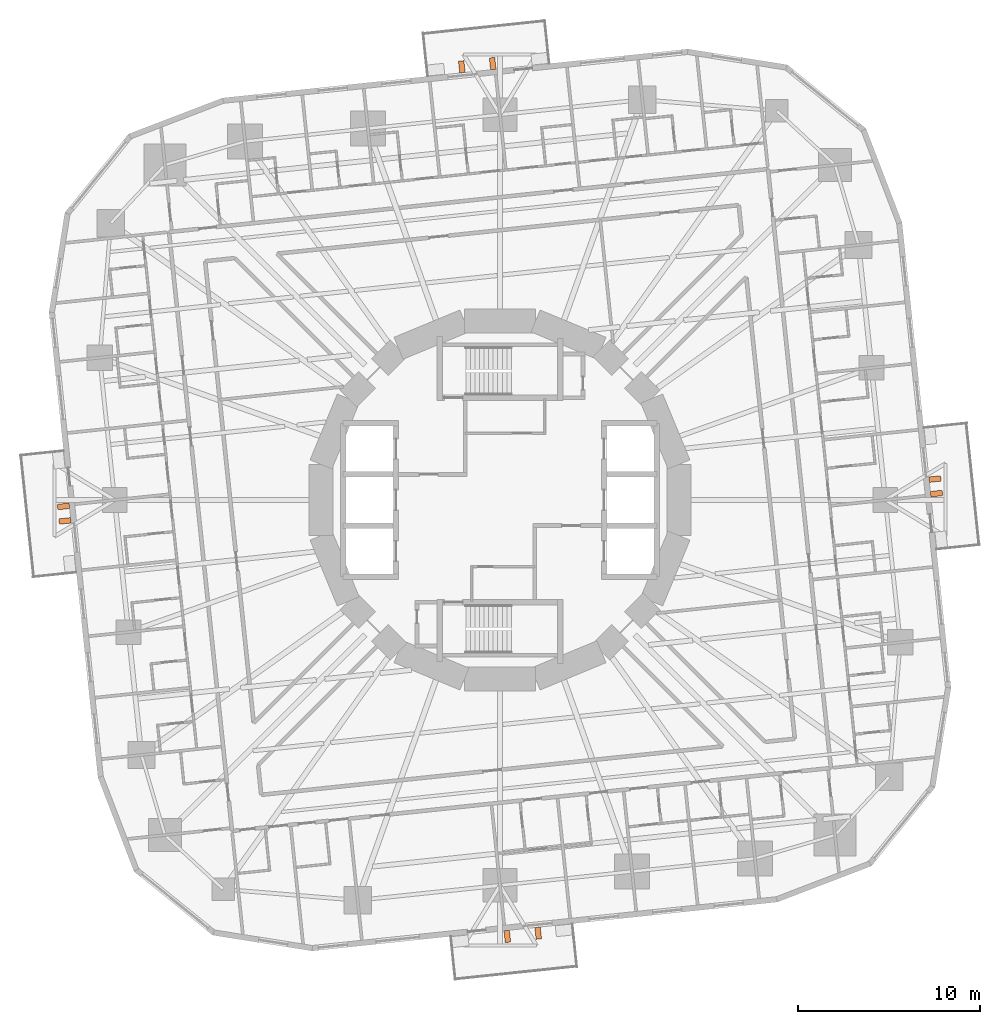
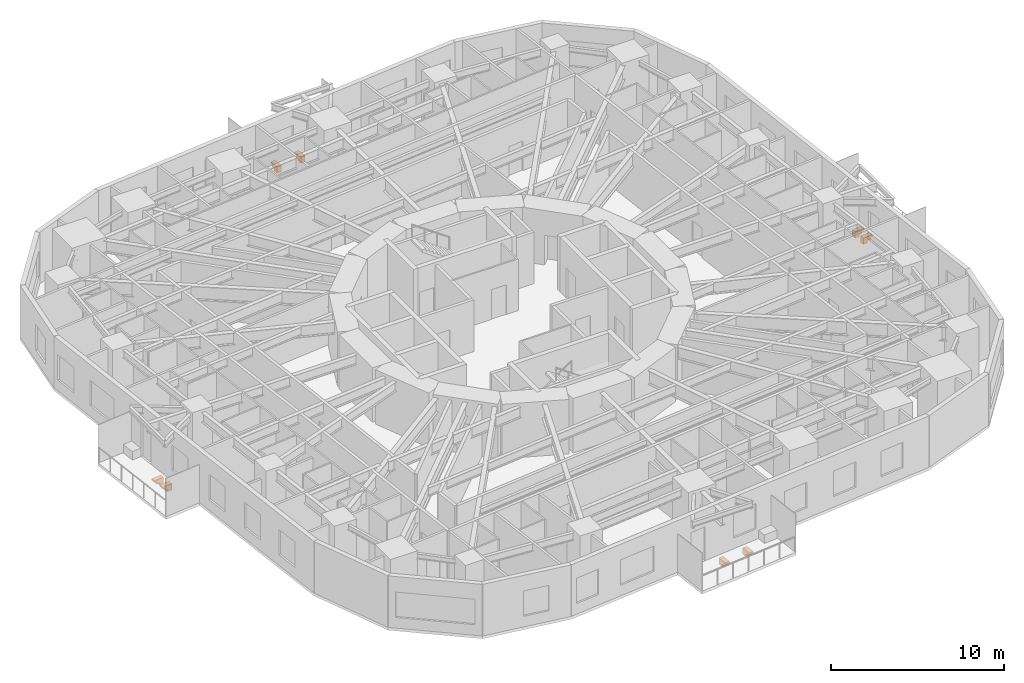
# One storey, part 15 of 15: 8 proxies.
"""IFC4 building model written with IfcOpenShell, lengths in metres."""

from ifc_helpers import new_model, si_unit, direction, frame, origin, place, context, subcontext, project, spatial, polyline, outline, extrude, material, type_object, element, save


model = new_model("IFC4")

# Units and contexts
model_context = context("Model", 3, precision=1e-05, world=origin(), true_north=direction((0.0, 1.0)))
body_context = subcontext(model_context, "Body", "Model", "MODEL_VIEW")
ifc_project = project(units=[si_unit("LENGTHUNIT", "METRE"), si_unit("AREAUNIT", "SQUARE_METRE"), si_unit("VOLUMEUNIT", "CUBIC_METRE"), si_unit("PLANEANGLEUNIT", "RADIAN"), si_unit("MASSUNIT", "GRAM", prefix="KILO")], contexts=[model_context])

# Site, building, storey
site_placement = place(None, origin())
site = spatial("IfcSite", under=ifc_project, at=site_placement, CompositionType="ELEMENT")
building_placement = place(site_placement, origin())
building = spatial("IfcBuilding", under=site, at=building_placement, Name="Nakasero Lantern House", CompositionType="ELEMENT")
storey_placement = place(building_placement, frame((0.0, 0.0, 64.35009765625)))
storey = spatial("IfcBuildingStorey", under=building, at=storey_placement, Name="L15", CompositionType="ELEMENT", Elevation=64.35009765625)

# Proxies
ifc_material = material(Name="Concrete C40/50 precast", Category="concrete")
building_element_proxy_type = type_object("IfcBuildingElementProxyType", Name="Balcony bracket 300", PredefinedType="USERDEFINED", material=ifc_material)
for number, where, z_axis, x_axis, name in (
    (1, (23.595947265625, 0.318115234375, -0.2001953125), (0.0, 0.0, 1.0), (0.994521895, 0.104528463, 0.0), "Balcony bracket L15 0A"),
    (2, (23.512451171875, 1.11376953125, -0.2001953125), (0.0, 0.0, 1.0), (0.994521895, 0.104528463, 0.0), "Balcony bracket L15 0B"),
    (3, (-0.367919921875, 23.5908203125, -0.2001953125), (0.0, 0.0, 1.0), (-0.104528463, 0.994521895, 0.0), "Balcony bracket L15 1A"),
    (4, (-2.05859375, 23.4130859375, -0.2001953125), (0.0, 0.0, 1.0), (-0.104528463, 0.994521895, 0.0), "Balcony bracket L15 1B"),
    (5, (-23.595947265625, -0.318115234375, -0.2001953125), (0.0, 0.0, 1.0), (-0.994521895, -0.104528463, 0.0), "Balcony bracket L15 2A"),
    (6, (-23.512451171875, -1.11376953125, -0.2001953125), (0.0, 0.0, 1.0), (-0.994521895, -0.104528463, 0.0), "Balcony bracket L15 2B"),
    (7, (0.367919921875, -23.5908203125, -0.2001953125), (0.0, 0.0, 1.0), (0.104528463, -0.994521895, 0.0), "Balcony bracket L15 3A"),
    (8, (2.05859375, -23.4130859375, -0.2001953125), (0.0, 0.0, 1.0), (0.104528463, -0.994521895, 0.0), "Balcony bracket L15 3B"),
):
    element("IfcBuildingElementProxy", number, at=place(storey_placement, frame(where, z_axis=z_axis, x_axis=x_axis)), inside=storey, type_object=building_element_proxy_type, Name=name, ObjectType="BALCONY BRACKET", PredefinedType="USERDEFINED", context=body_context, shape_type="SweptSolid", body=[
        extrude(outline(polyline([(0.0, 0.0), (0.64990234375, 0.0), (0.64990234375, -0.1201171875), (0.5, -0.1201171875), (0.5, -0.280029296875), (0.300048828125, -0.280029296875), (0.300048828125, -0.43994140625), (0.0, -0.43994140625), (0.0, 0.0)])), frame((0.0, 0.14990234375, 0.0), z_axis=(0.0, -1.0, 0.0), x_axis=(1.0, 0.0, 0.0)), (0.0, 0.0, 1.0), 0.300048828125),
    ])

save(model, "model.ifc")
